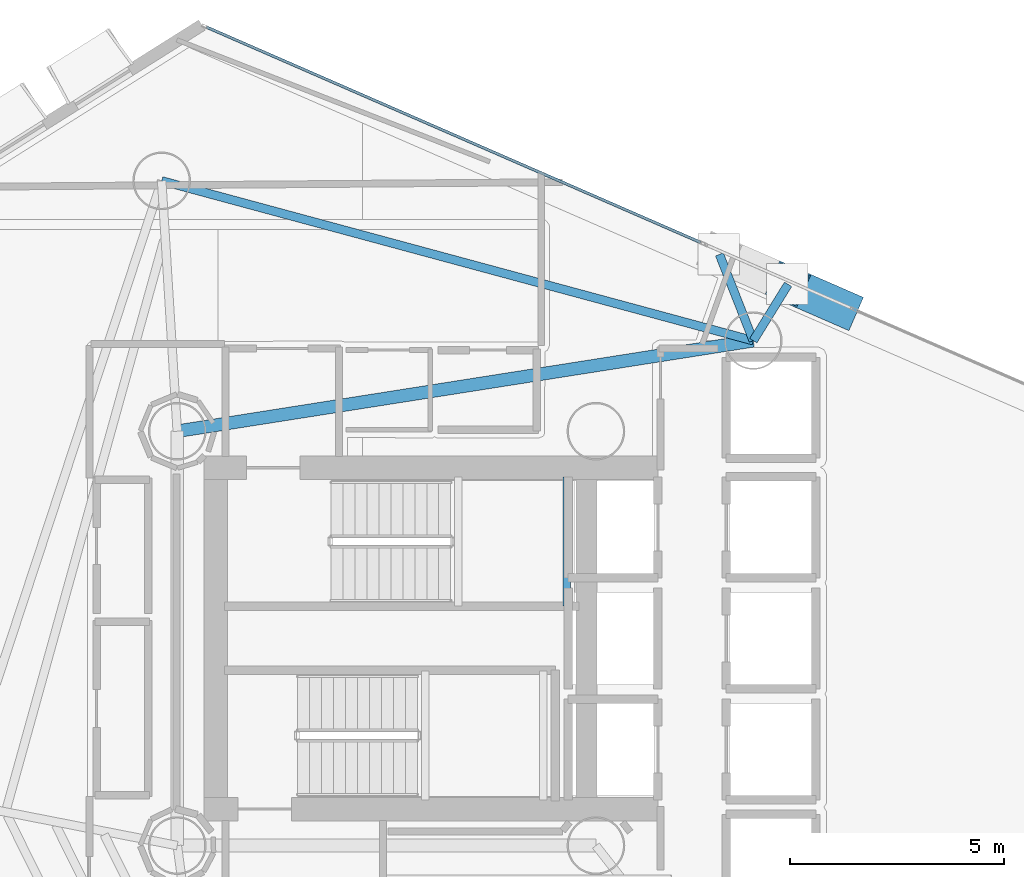
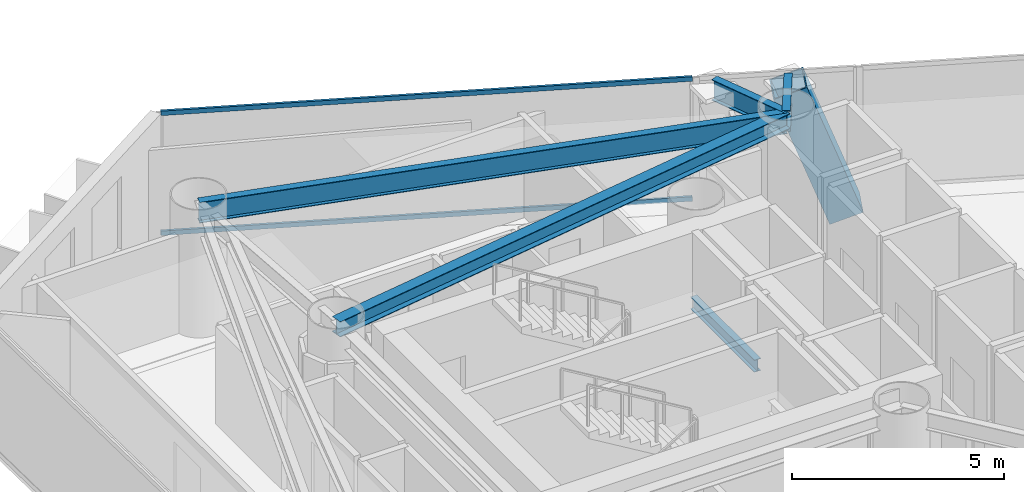
# One storey, part 11 of 20: 5 beams, 3 members, 1 element without a shape of its own.
"""IFC4 building model written with IfcOpenShell, lengths in metres."""

from ifc_helpers import new_model, si_unit, direction, frame, origin, origin_2d, place, context, subcontext, project, spatial, hollow_rectangle, i_section, extrude, material, layer, layer_set, material_profile, profile_set, type_object, element, aggregate, save


model = new_model("IFC4")

# Units and contexts
model_context = context("Model", 3, precision=1e-05, world=origin(), true_north=direction((0.0, 1.0)))
body_context = subcontext(model_context, "Body", "Model", "MODEL_VIEW")
ifc_project = project(units=[si_unit("LENGTHUNIT", "METRE"), si_unit("AREAUNIT", "SQUARE_METRE"), si_unit("VOLUMEUNIT", "CUBIC_METRE"), si_unit("PLANEANGLEUNIT", "RADIAN"), si_unit("MASSUNIT", "GRAM", prefix="KILO")], contexts=[model_context])

# Site, building, storey
site_placement = place(None, origin())
site = spatial("IfcSite", under=ifc_project, at=site_placement, CompositionType="ELEMENT")
building_placement = place(site_placement, origin())
building = spatial("IfcBuilding", under=site, at=building_placement, Name="Qianvela Tower", CompositionType="ELEMENT")
storey_placement = place(building_placement, frame((0.0, 0.0, 151.300048828125)))
storey = spatial("IfcBuildingStorey", under=building, at=storey_placement, Name="L38", CompositionType="ELEMENT", Elevation=151.300048828125)

# Beams
ifc_material_1 = material(Name="Steel Q355B", Category="steel")
ifc_material_profile_1 = material_profile(ifc_material_1, i_section(OverallWidth=0.300048828125, OverallDepth=0.43994140625, WebThickness=0.010986328125, FlangeThickness=0.01806640625, at=origin_2d()), Name="HM440x300x11x18")
ifc_profile_set_1 = profile_set([ifc_material_profile_1], Name="Steel Q355B")
beam_type_1 = type_object("IfcBeamType", Name="BM-HM440-COLL", PredefinedType="BEAM", material=ifc_profile_set_1)
beam_1_placement = place(storey_placement, frame((28.60009765625, 33.550048828125, 3.2978515625), z_axis=(0.98787540104, 0.155248806823, 0.0), x_axis=(-0.155248806823, 0.98787540104, 0.0)))
element("IfcBeam", 1, at=beam_1_placement, inside=storey, type_object=beam_type_1, Name="L38 Perimeter Ring Tie Girder 1B", PredefinedType="BEAM", context=body_context, shape_type="SweptSolid", body=[
    extrude(i_section(OverallWidth=0.300048828125, OverallDepth=0.43994140625, WebThickness=0.010986328125, FlangeThickness=0.01806640625, at=origin_2d()), origin(), (0.0, 0.0, 1.0), 13.6484375),
])
ifc_material_2 = material(Name="Steel Q355B", Category="steel")
ifc_material_profile_2 = material_profile(ifc_material_2, i_section(OverallWidth=0.175048828125, OverallDepth=0.35009765625, WebThickness=0.007080078125, FlangeThickness=0.010986328125, at=origin_2d()), Name="HN350x175x7x11")
ifc_profile_set_2 = profile_set([ifc_material_profile_2], Name="Steel Q355B")
beam_type_2 = type_object("IfcBeamType", Name="BM-HN350-JOIST", PredefinedType="JOIST", material=ifc_profile_set_2)
beam_2_placement = place(storey_placement, frame((37.719970703125, 29.4599609375, 1.474853515625), z_axis=(0.0, 1.0, 0.0), x_axis=(-1.0, 0.0, 0.0)))
element("IfcBeam", 2, at=beam_2_placement, inside=storey, type_object=beam_type_2, Name="L38 Stair ST-1 Landing Support Beam 1.2", PredefinedType="JOIST", context=body_context, shape_type="SweptSolid", body=[
    extrude(i_section(OverallWidth=0.175048828125, OverallDepth=0.35009765625, WebThickness=0.007080078125, FlangeThickness=0.010986328125, at=origin_2d()), origin(), (0.0, 0.0, 1.0), 3.02001953125),
])
ifc_material_3 = material(Name="Steel Q355B", Category="steel")
ifc_material_profile_3 = material_profile(ifc_material_3, i_section(OverallWidth=0.199951171875, OverallDepth=0.60009765625, WebThickness=0.010986328125, FlangeThickness=0.01708984375, at=origin_2d()), Name="HN600x200x11x17")
ifc_profile_set_3 = profile_set([ifc_material_profile_3], Name="Steel Q355B")
beam_type_3 = type_object("IfcBeamType", Name="BM-HN600-GIRD", PredefinedType="BEAM", material=ifc_profile_set_3)
beam_3_placement = place(storey_placement, frame((42.0830078125, 35.6689453125, 3.218017578125), z_axis=(0.525633637018, 0.85071104356, 0.0), x_axis=(-0.85071104356, 0.525633637018, 0.0)))
element("IfcBeam", 3, at=beam_3_placement, inside=storey, type_object=beam_type_3, Name="L38 Mega-Brace Column Tie Bracket F1-1", PredefinedType="BEAM", context=body_context, shape_type="SweptSolid", body=[
    extrude(i_section(OverallWidth=0.199951171875, OverallDepth=0.60009765625, WebThickness=0.010986328125, FlangeThickness=0.01708984375, at=origin_2d()), origin(), (0.0, 0.0, 1.0), 1.55078125),
])
beam_4_placement = place(storey_placement, frame((42.0830078125, 35.6689453125, 3.218017578125), z_axis=(-0.364861833653, 0.931061674833, 0.0), x_axis=(-0.931061674833, -0.364861833653, 0.0)))
element("IfcBeam", 4, at=beam_4_placement, inside=storey, type_object=beam_type_3, Name="L38 Mega-Brace Column Tie Bracket F1-2", PredefinedType="BEAM", context=body_context, shape_type="SweptSolid", body=[
    extrude(i_section(OverallWidth=0.199951171875, OverallDepth=0.60009765625, WebThickness=0.010986328125, FlangeThickness=0.01708984375, at=origin_2d()), origin(), (0.0, 0.0, 1.0), 2.16943359375),
])
beam_5_placement = place(storey_placement, frame((42.0830078125, 35.6689453125, 3.218017578125), z_axis=(-0.965376252239, 0.260861441407, 0.0), x_axis=(-0.260861441407, -0.965376252239, 0.0)))
element("IfcBeam", 5, at=beam_5_placement, inside=storey, type_object=beam_type_3, Name="L38 Perimeter Ring Spandrel Girder 2", PredefinedType="BEAM", context=body_context, shape_type="SweptSolid", body=[
    extrude(i_section(OverallWidth=0.199951171875, OverallDepth=0.60009765625, WebThickness=0.010986328125, FlangeThickness=0.01708984375, at=origin_2d()), origin(), (0.0, 0.0, 1.0), 14.344482421875),
])

# Curtain wall, members
ifc_material_4 = material(Name="Anodised Architectural Aluminium and Low-E Glass", Category="aluminium")
ifc_layer = layer(ifc_material_4, 0.169921875)
ifc_layer_set = layer_set([ifc_layer], Name="Anodised Architectural Aluminium and Low-E Glass")
curtain_wall_type = type_object("IfcCurtainWallType", Name="CW-COLIV-Z34", PredefinedType="USERDEFINED", material=ifc_layer_set)
curtain_wall_placement = place(storey_placement, origin())
curtain_wall = element("IfcCurtainWall", 6, at=curtain_wall_placement, inside=storey, type_object=curtain_wall_type, Name="L38 CW-COLIV-Z34 Curtain Wall 02C", ObjectType="CURTAIN_WALL_SYSTEM", PredefinedType="USERDEFINED")
ifc_material_5 = material(Name="Anodised Architectural Aluminium 6063-T6", Category="aluminium")
ifc_material_profile_4 = material_profile(ifc_material_5, hollow_rectangle(XDim=0.06494140625, YDim=0.1298828125, WallThickness=0.00439453125, at=origin_2d()), Name="ALU-TRAN-65x130")
ifc_profile_set_4 = profile_set([ifc_material_profile_4], Name="Anodised Architectural Aluminium 6063-T6")
member_type_1 = type_object("IfcMemberType", Name="CW-COLIV-Z34-TRAN", PredefinedType="USERDEFINED", material=ifc_profile_set_4)
member_1_placement = place(storey_placement, frame((40.84716796875, 37.9697265625, 0.032470703125), z_axis=(-0.916693420361, 0.399591257496, 0.0), x_axis=(-0.399591257496, -0.916693420361, 0.0)))
member_1 = element("IfcMember", 7, at=member_1_placement, type_object=member_type_1, Name="CW-4 transom 1.1", ObjectType="TRANSOM", PredefinedType="USERDEFINED", context=body_context, shape_type="SweptSolid", body=[
    extrude(hollow_rectangle(XDim=0.06494140625, YDim=0.1298828125, WallThickness=0.00439453125, at=origin_2d()), origin(), (0.0, 0.0, 1.0), 12.6171875),
])
member_2_placement = place(storey_placement, frame((40.84716796875, 37.9697265625, 3.487548828125), z_axis=(-0.916693420361, 0.399591257496, 0.0), x_axis=(-0.399591257496, -0.916693420361, 0.0)))
member_2 = element("IfcMember", 8, at=member_2_placement, type_object=member_type_1, Name="CW-4 transom 1.2", ObjectType="TRANSOM", PredefinedType="USERDEFINED", context=body_context, shape_type="SweptSolid", body=[
    extrude(hollow_rectangle(XDim=0.06494140625, YDim=0.1298828125, WallThickness=0.00439453125, at=origin_2d()), origin(), (0.0, 0.0, 1.0), 12.6171875),
])
aggregate(curtain_wall, [member_1, member_2])

# Member
ifc_material_6 = material(Name="Steel Q420GJC", Category="steel")
ifc_material_profile_5 = material_profile(ifc_material_6, hollow_rectangle(XDim=0.85009765625, YDim=0.85009765625, WallThickness=0.031982421875, at=origin_2d()), Name="MBOX-850x850x32")
ifc_profile_set_5 = profile_set([ifc_material_profile_5], Name="Steel Q420GJC")
member_type_2 = type_object("IfcMemberType", Name="MBR-MBRACE-850", PredefinedType="BRACE", material=ifc_profile_set_5)
member_3_placement = place(storey_placement, frame((44.125244140625, 36.453369140625, -0.48193359375), z_axis=(-0.311858147043, 0.135949303655, 0.940352212184), x_axis=(-0.399612929741, -0.916683973016, 0.0)))
element("IfcMember", 9, at=member_3_placement, inside=storey, type_object=member_type_2, Name="L38 Tier 6 Exterior Mega-Brace F1A", PredefinedType="BRACE", context=body_context, shape_type="SweptSolid", body=[
    extrude(hollow_rectangle(XDim=0.85009765625, YDim=0.85009765625, WallThickness=0.031982421875, at=origin_2d()), origin(), (0.0, 0.0, 1.0), 3.9345703125),
])

save(model, "model.ifc")
